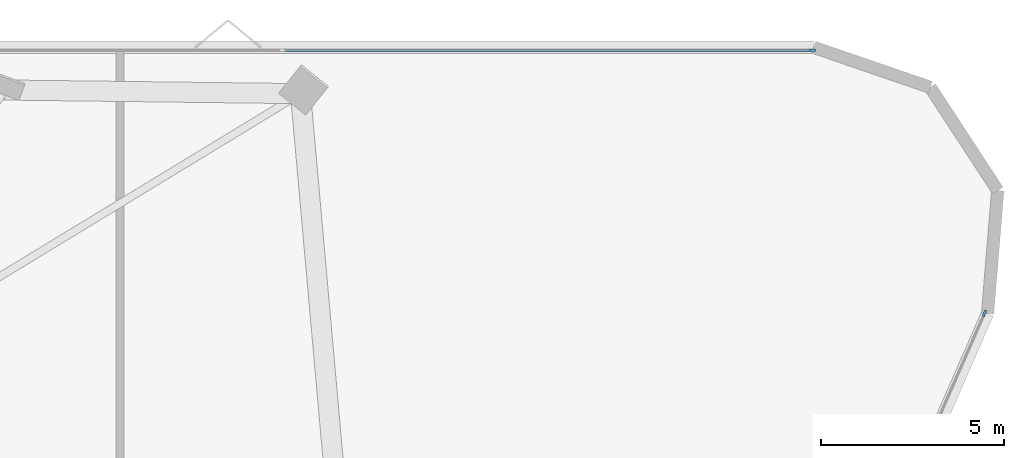
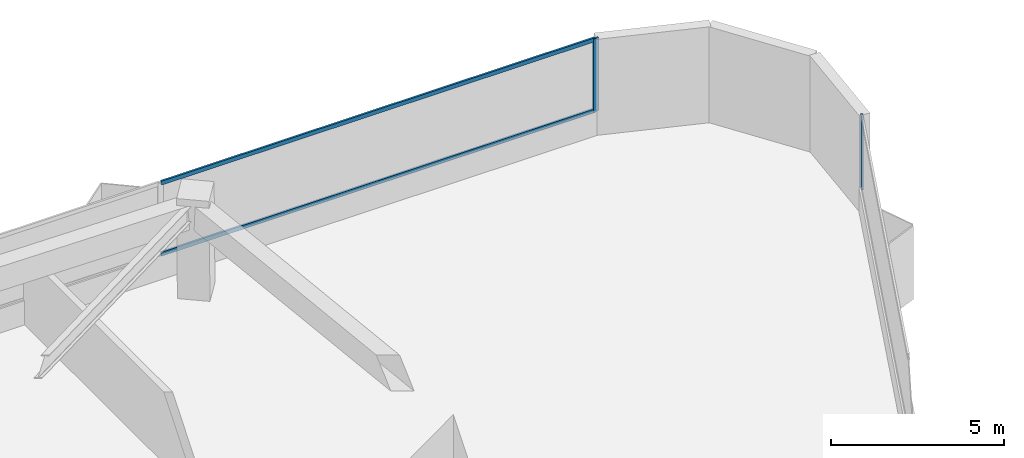
# One storey, part 13 of 20: 4 members, 2 elements without a shape of their own.
"""IFC4 building model written with IfcOpenShell, lengths in metres."""

from ifc_helpers import new_model, si_unit, direction, frame, origin, origin_2d, place, context, subcontext, project, spatial, rectangle, extrude, material, layer, layer_set, material_profile, profile_set, type_object, element, aggregate, save


model = new_model("IFC4")

# Units and contexts
model_context = context("Model", 3, precision=1e-05, world=origin(), true_north=direction((0.0, 1.0)))
body_context = subcontext(model_context, "Body", "Model", "MODEL_VIEW")
ifc_project = project(units=[si_unit("LENGTHUNIT", "METRE"), si_unit("AREAUNIT", "SQUARE_METRE"), si_unit("VOLUMEUNIT", "CUBIC_METRE"), si_unit("PLANEANGLEUNIT", "RADIAN"), si_unit("MASSUNIT", "GRAM", prefix="KILO")], contexts=[model_context])

# Site, building, storey
site_placement = place(None, origin())
site = spatial("IfcSite", under=ifc_project, at=site_placement, CompositionType="ELEMENT")
building_placement = place(site_placement, origin())
building = spatial("IfcBuilding", under=site, at=building_placement, Name="Talyreon Biosciences Tower", CompositionType="ELEMENT")
storey_placement = place(building_placement, frame((0.0, 0.0, 37.39990234375)))
storey = spatial("IfcBuildingStorey", under=building, at=storey_placement, Name="L09", CompositionType="ELEMENT", Elevation=37.39990234375)

# Curtain wall, member
ifc_material_1 = material(Name="Thermally broken aluminium and low-E glazing", Category="aluminium")
ifc_layer = layer(ifc_material_1, 0.195068359375)
ifc_layer_set = layer_set([ifc_layer], Name="Thermally broken aluminium and low-E glazing")
curtain_wall_type = type_object("IfcCurtainWallType", Name="CurtainWall_Zone1WetLab", PredefinedType="NOTDEFINED", material=ifc_layer_set)
curtain_wall_1_placement = place(storey_placement, origin())
curtain_wall_1 = element("IfcCurtainWall", 1, at=curtain_wall_1_placement, inside=storey, type_object=curtain_wall_type, Name="L09 Unitised Curtain Wall FCW-L09-04", PredefinedType="NOTDEFINED")
ifc_material_2 = material(Name="Anodised thermally broken aluminium", Category="aluminium")
ifc_material_profile_1 = material_profile(ifc_material_2, rectangle(XDim=0.06494140625, YDim=0.179931640625, at=origin_2d()), Name="ALUM MULLION 65x180")
ifc_profile_set_1 = profile_set([ifc_material_profile_1], Name="Anodised thermally broken aluminium")
member_type_1 = type_object("IfcMemberType", Name="CWMullion_65x180", PredefinedType="MULLION", material=ifc_profile_set_1)
member_1_placement = place(storey_placement, frame((95.013671875, 92.107421875, 0.81005859375), z_axis=(0.0, 0.0, 1.0), x_axis=(0.0, 1.0, 0.0)))
member_1 = element("IfcMember", 2, at=member_1_placement, type_object=member_type_1, Name="CW2 mullion 5", PredefinedType="MULLION", context=body_context, shape_type="SweptSolid", body=[
    extrude(rectangle(XDim=0.06494140625, YDim=0.179931640625, at=origin_2d()), origin(), (0.0, 0.0, 1.0), 2.56494140625),
])

curtain_wall_2_placement = place(storey_placement, origin())
curtain_wall_2 = element("IfcCurtainWall", 3, at=curtain_wall_2_placement, inside=storey, type_object=curtain_wall_type, Name="L09 Unitised Curtain Wall FCW-L09-08", PredefinedType="NOTDEFINED")
member_2_placement = place(storey_placement, frame((99.722900390625, 84.9033203125, 0.81005859375), z_axis=(0.0, 0.0, 1.0), x_axis=(0.915980408101, -0.401222995321, 0.0)))
member_2 = element("IfcMember", 4, at=member_2_placement, type_object=member_type_1, Name="CW2 mullion 1", PredefinedType="MULLION", context=body_context, shape_type="SweptSolid", body=[
    extrude(rectangle(XDim=0.06494140625, YDim=0.179931640625, at=origin_2d()), origin(), (0.0, 0.0, 1.0), 2.56494140625),
])
aggregate(curtain_wall_2, [member_2])

# Member
ifc_material_profile_2 = material_profile(ifc_material_2, rectangle(XDim=0.06494140625, YDim=0.139892578125, at=origin_2d()), Name="ALUM TRANSOM 65x140")
ifc_profile_set_2 = profile_set([ifc_material_profile_2], Name="Anodised thermally broken aluminium")
member_type_2 = type_object("IfcMemberType", Name="CWTransom_65x140", PredefinedType="USERDEFINED", material=ifc_profile_set_2)
member_3_placement = place(storey_placement, frame((80.5556640625, 92.107421875, 0.842529296875), z_axis=(1.0, 0.0, 0.0), x_axis=(0.0, 1.0, 0.0)))
member_3 = element("IfcMember", 5, at=member_3_placement, type_object=member_type_2, Name="CW2 transom 4.1", ObjectType="TRANSOM", PredefinedType="USERDEFINED", context=body_context, shape_type="SweptSolid", body=[
    extrude(rectangle(XDim=0.06494140625, YDim=0.139892578125, at=origin_2d()), origin(), (0.0, 0.0, 1.0), 14.425537109375),
])

member_4_placement = place(storey_placement, frame((80.5556640625, 92.107421875, 3.342529296875), z_axis=(1.0, 0.0, 0.0), x_axis=(0.0, 1.0, 0.0)))
member_4 = element("IfcMember", 6, at=member_4_placement, type_object=member_type_2, Name="CW2 transom 4.2", ObjectType="TRANSOM", PredefinedType="USERDEFINED", context=body_context, shape_type="SweptSolid", body=[
    extrude(rectangle(XDim=0.06494140625, YDim=0.139892578125, at=origin_2d()), origin(), (0.0, 0.0, 1.0), 14.425537109375),
])

aggregate(curtain_wall_1, [member_1, member_3, member_4])

save(model, "model.ifc")
